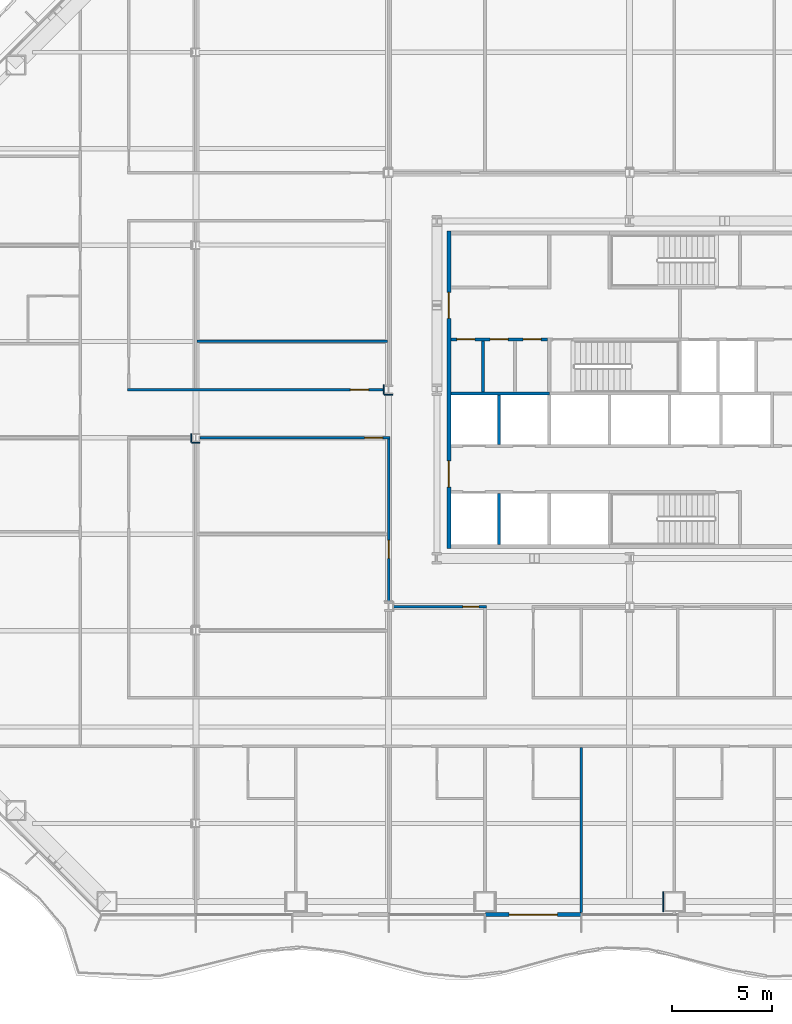
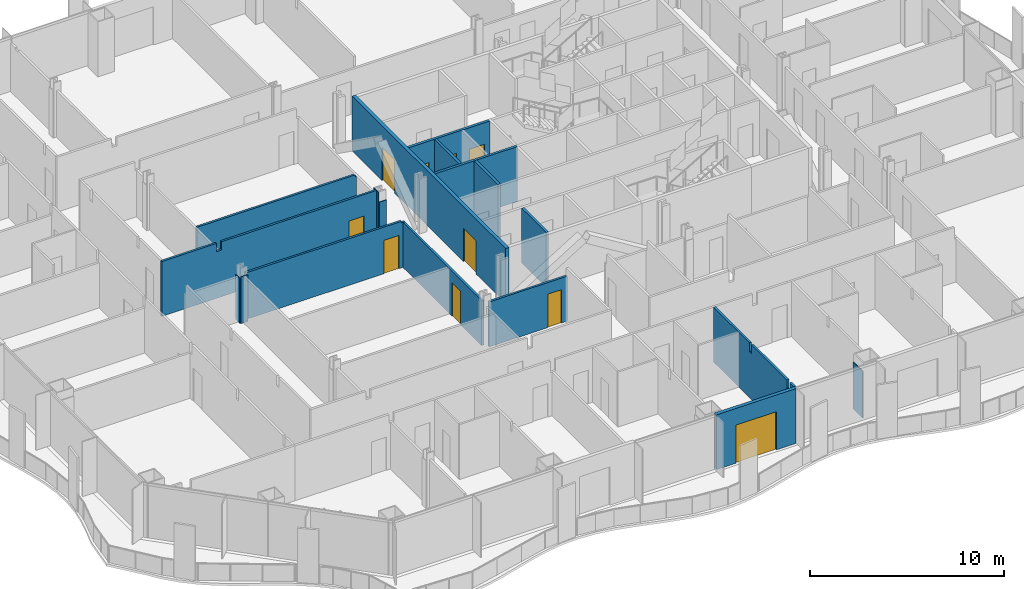
# One storey, part 8 of 21: 18 walls, 10 doors, 10 openings.
"""IFC4 building model written with IfcOpenShell, lengths in metres."""

import ifcopenshell
import ifcopenshell.guid

model = None  # the IFC model being written
_history = None  # IfcOwnerHistory: only IFC2X3 demands one
_inside = {}  # id of a spatial element -> (the spatial element, [elements in it])
_under = {}  # id of a project, library or spatial element -> (it, [spatial elements below it])
_declared = {}  # id of a project -> (the project, [libraries it declares])
_typed = {}  # id of a type object -> (the type object, [elements of that type])
_made_of = {}  # id of a material, layer set ... -> (it, [elements and type objects made of it])


def new_model(schema):
    """Start an empty IFC model of exactly this schema.

    Asked for "IFC4X3", IfcOpenShell would pick the latest addendum, in which some entities
    have other attributes; the version numbers below select the first issue.
    IFC2X3 requires an IfcOwnerHistory on every rooted entity: one is made here for all.
    """
    global model, _history
    if schema == "IFC4X3":
        model = ifcopenshell.file(schema_version=(4, 3, 0, 0))
    else:
        model = ifcopenshell.file(schema=schema)
    _inside.clear()
    _under.clear()
    _declared.clear()
    _typed.clear()
    _made_of.clear()
    _history = None
    if model.schema == "IFC2X3":
        org = make("IfcOrganization", Name="unknown")
        user = make(
            "IfcPersonAndOrganization",
            ThePerson=make("IfcPerson", FamilyName="unknown"),
            TheOrganization=org,
        )
        app = make(
            "IfcApplication",
            ApplicationDeveloper=org,
            Version="unknown",
            ApplicationFullName="unknown",
            ApplicationIdentifier="unknown",
        )
        _history = make(
            "IfcOwnerHistory",
            OwningUser=user,
            OwningApplication=app,
            ChangeAction="ADDED",
            CreationDate=0,
        )
    return model


def make(cls, **values):
    """One entity of the class cls with the attributes given. An attribute that is None is left unset."""
    return model.create_entity(
        cls, **{name: value for name, value in values.items() if value is not None}
    )


def rooted(cls, **values):
    """An entity with a GlobalId (a new one), such as an element, a storey or a relation."""
    return make(cls, GlobalId=ifcopenshell.guid.new(), OwnerHistory=_history, **values)


def si_unit(unit_type, name, prefix=None):
    """IfcSIUnit, for example si_unit("LENGTHUNIT", "METRE", prefix="MILLI")."""
    return make("IfcSIUnit", UnitType=unit_type, Prefix=prefix, Name=name)


def assignment(units):
    """IfcUnitAssignment: the units of a project."""
    return None if units is None else make("IfcUnitAssignment", Units=units)


def point(xyz):
    """IfcCartesianPoint."""
    return None if xyz is None else make("IfcCartesianPoint", Coordinates=xyz)


def direction(xyz):
    """IfcDirection."""
    return None if xyz is None else make("IfcDirection", DirectionRatios=xyz)


def frame(location, z_axis=None, x_axis=None):
    """IfcAxis2Placement3D, a coordinate frame: its origin and axes. An axis left out is left unset."""
    return make(
        "IfcAxis2Placement3D",
        Location=point(location),
        Axis=direction(z_axis),
        RefDirection=direction(x_axis),
    )


def frame_2d(location, x_axis=None):
    """IfcAxis2Placement2D, a coordinate frame in the plane: its origin and x axis."""
    return make(
        "IfcAxis2Placement2D", Location=point(location), RefDirection=direction(x_axis)
    )


def origin():
    """The frame at (0, 0, 0) with its axes left unset."""
    return frame((0.0, 0.0, 0.0))


def place(relative_to, where):
    """IfcLocalPlacement: puts the frame where relative to a parent placement (None: the world)."""
    return make(
        "IfcLocalPlacement", PlacementRelTo=relative_to, RelativePlacement=where
    )


def context(
    kind, dimensions, precision=None, world=None, true_north=None, identifier=None
):
    """IfcGeometricRepresentationContext, for example the 3D "Model" context."""
    return make(
        "IfcGeometricRepresentationContext",
        ContextIdentifier=identifier,
        ContextType=kind,
        CoordinateSpaceDimension=dimensions,
        Precision=precision,
        WorldCoordinateSystem=world,
        TrueNorth=true_north,
    )


def subcontext(parent, identifier, kind, view, scale=None):
    """IfcGeometricRepresentationSubContext, for example "Body" below "Model"."""
    return make(
        "IfcGeometricRepresentationSubContext",
        ContextIdentifier=identifier,
        ContextType=kind,
        ParentContext=parent,
        TargetScale=scale,
        TargetView=view,
    )


def project(units=None, contexts=None):
    """IfcProject with its units and contexts."""
    return rooted(
        "IfcProject",
        Name="project",
        RepresentationContexts=contexts,
        UnitsInContext=assignment(units),
    )


def spatial(cls, under=None, at=None, **own):
    """A site, building, storey or space (cls), placed at a placement, below another one or the project."""
    s = rooted(cls, ObjectPlacement=at, **own)
    if under is not None:
        _under.setdefault(under.id(), (under, []))[1].append(s)
    return s


def polyline(points):
    """IfcPolyline through the points."""
    return make("IfcPolyline", Points=[point(p) for p in points])


def profile(cls, at=None, kind="AREA", **sizes):
    """A parametric profile (cls). Its sizes go by their IFC names, for example OverallWidth=200.0."""
    return make(cls, ProfileType=kind, Position=at, **sizes)


def rectangle(**sizes):
    """IfcRectangleProfileDef."""
    return profile("IfcRectangleProfileDef", **sizes)


def outline(outer, holes=None, kind="AREA"):
    """IfcArbitraryClosedProfileDef: a profile drawn as a closed curve; with holes, ...WithVoids."""
    if holes is None:
        return make("IfcArbitraryClosedProfileDef", ProfileType=kind, OuterCurve=outer)
    return make(
        "IfcArbitraryProfileDefWithVoids",
        ProfileType=kind,
        OuterCurve=outer,
        InnerCurves=holes,
    )


def extrude(swept, where, along, depth):
    """IfcExtrudedAreaSolid: the profile swept, set in the frame where, extruded along a direction by depth."""
    return make(
        "IfcExtrudedAreaSolid",
        SweptArea=swept,
        Position=where,
        ExtrudedDirection=direction(along),
        Depth=depth,
    )


def shape(context_of_items, identifier, shape_type, items):
    """IfcShapeRepresentation: the items that make up one representation, for example the "Body"."""
    return make(
        "IfcShapeRepresentation",
        ContextOfItems=context_of_items,
        RepresentationIdentifier=identifier,
        RepresentationType=shape_type,
        Items=items,
    )


def material(Name=None, Category=None):
    """IfcMaterial."""
    return make("IfcMaterial", Name=Name, Category=Category)


def layer(
    of_material, thickness, ventilated=None, Name=None, Category=None, Priority=None
):
    """IfcMaterialLayer: one layer of a wall or slab, of a material (None: an air gap)."""
    return make(
        "IfcMaterialLayer",
        Material=of_material,
        LayerThickness=thickness,
        IsVentilated=ventilated,
        Name=Name,
        Category=Category,
        Priority=Priority,
    )


def layer_set(layers, Name=None):
    """IfcMaterialLayerSet."""
    return make("IfcMaterialLayerSet", MaterialLayers=layers, LayerSetName=Name)


def made_of(thing, what):
    """Note that an element or type object is made of a material, layer set ...; save() writes the relation."""
    if what is not None:
        _made_of.setdefault(what.id(), (what, []))[1].append(thing)
    return thing


def type_object(cls, material=None, **own):
    """A type object (cls), such as IfcWallType, which elements share."""
    return made_of(rooted(cls, **own), material)


def element(
    cls,
    number,
    at=None,
    inside=None,
    cuts=None,
    type_object=None,
    material=None,
    context=None,
    identifier="Body",
    shape_type=None,
    held_by="IfcProductDefinitionShape",
    body=None,
    shapes=None,
    **own,
):
    """One element of the class cls, such as IfcWall. Its Tag is "e" and its number.

    at: its placement. inside: the storey or other place that contains it. cuts: it is an
    opening in that element (IfcRelVoidsElement). A single representation is given by context,
    identifier, shape_type and body (its items); several are given by shapes. held_by: the class
    of the entity that holds the representations. save() writes the other relations.
    """
    e = rooted(cls, Tag="e%d" % number, ObjectPlacement=at, **own)
    if body is not None:
        shapes = [shape(context, identifier, shape_type, body)]
    if shapes is not None:
        e.Representation = make(held_by, Representations=shapes)
    if inside is not None:
        _inside.setdefault(inside.id(), (inside, []))[1].append(e)
    if cuts is not None:
        rooted(
            "IfcRelVoidsElement", RelatingBuildingElement=cuts, RelatedOpeningElement=e
        )
    if type_object is not None:
        _typed.setdefault(type_object.id(), (type_object, []))[1].append(e)
    return made_of(e, material)


def fill(opening, filler):
    """IfcRelFillsElement: the door or window that sits in an opening."""
    return rooted(
        "IfcRelFillsElement",
        RelatingOpeningElement=opening,
        RelatedBuildingElement=filler,
    )


def aggregate(whole, parts):
    """IfcRelAggregates: a whole, such as a stair, and the parts it consists of."""
    return rooted("IfcRelAggregates", RelatingObject=whole, RelatedObjects=parts)


def save(model, path):
    """Write the relations noted so far, then the file.

    IfcRelAggregates (storeys below a building ...), IfcRelContainedInSpatialStructure (elements
    in a storey), IfcRelDefinesByType, IfcRelAssociatesMaterial and IfcRelDeclares: one each for
    every whole, place, type object, material and project.
    """
    for whole, parts in _under.values():
        aggregate(whole, parts)
    for where, things in _inside.values():
        rooted(
            "IfcRelContainedInSpatialStructure",
            RelatedElements=things,
            RelatingStructure=where,
        )
    for kind, things in _typed.values():
        rooted("IfcRelDefinesByType", RelatedObjects=things, RelatingType=kind)
    for what, things in _made_of.values():
        rooted("IfcRelAssociatesMaterial", RelatedObjects=things, RelatingMaterial=what)
    for by, libraries in _declared.values():
        rooted("IfcRelDeclares", RelatingContext=by, RelatedDefinitions=libraries)
    model.write(path)


model = new_model("IFC4")

# Units and contexts
model_context = context("Model", 3, precision=1e-05, world=origin(), true_north=direction((0.0, 1.0)))
body_context = subcontext(model_context, "Body", "Model", "MODEL_VIEW")
ifc_project = project(units=[si_unit("LENGTHUNIT", "METRE"), si_unit("AREAUNIT", "SQUARE_METRE"), si_unit("VOLUMEUNIT", "CUBIC_METRE"), si_unit("PLANEANGLEUNIT", "RADIAN"), si_unit("MASSUNIT", "GRAM", prefix="KILO")], contexts=[model_context])

# Site, building, storey
site_placement = place(None, origin())
site = spatial("IfcSite", under=ifc_project, at=site_placement, CompositionType="ELEMENT")
building_placement = place(site_placement, origin())
building = spatial("IfcBuilding", under=site, at=building_placement, Name="Cairn Pilgrim Tower", CompositionType="ELEMENT")
storey_placement = place(building_placement, frame((0.0, 0.0, 47.39990234375)))
storey = spatial("IfcBuildingStorey", under=building, at=storey_placement, Name="L09", CompositionType="ELEMENT", Elevation=47.39990234375)

# Wall, opening, door
ifc_material_1 = material(Name="Bronze anodised aluminium insulated sandwich panel with mineral wool fill", Category="aluminium")
ifc_layer_1 = layer(ifc_material_1, 0.199951171875)
ifc_layer_set_1 = layer_set([ifc_layer_1], Name="BRONZE INFILL FRAME WALL 200")
wall_type_1 = type_object("IfcWallType", Name="BRONZE INFILL FRAME WALL 200", PredefinedType="NOTDEFINED", material=ifc_layer_set_1)
wall_1_placement = place(storey_placement, frame((0.030029296875, -23.75, 0.0), z_axis=(0.0, 0.0, 1.0), x_axis=(1.0, 0.0, 0.0)))
wall_1 = element("IfcWall", 1, at=wall_1_placement, inside=storey, type_object=wall_type_1, Name="Bronze infill frame wall IW-S5", PredefinedType="NOTDEFINED", context=body_context, shape_type="SweptSolid", body=[
    extrude(rectangle(XDim=4.739990234375, YDim=0.199951171875, at=frame_2d((2.3701171875, 0.0))), origin(), (0.0, 0.0, 1.0), 3.4501953125),
])
opening_1_placement = place(wall_1_placement, frame((1.169921875, 0.0, 0.0)))
opening_1 = element("IfcOpeningElement", 2, at=opening_1_placement, cuts=wall_1, Name="Opening 0905B", PredefinedType="OPENING", context=body_context, shape_type="SweptSolid", body=[
    extrude(rectangle(XDim=2.39990234375, YDim=2.39990234375, at=frame_2d((1.199951171875, 1.199951171875))), frame((0.0, 0.10986328125, 0.0), z_axis=(0.0, -1.0, 0.0), x_axis=(1.0, 0.0, 0.0)), (0.0, 0.0, 1.0), 0.219970703125),
])
ifc_material_2 = material(Name="Bronze anodised aluminium frame with tinted low-E glass", Category="aluminium")
door_type_1 = type_object("IfcDoorType", Name="BALCONY SLIDING DOOR 2400x2400", OperationType="DOUBLE_DOOR_SLIDING", PredefinedType="DOOR", material=ifc_material_2)
door_1_placement = place(opening_1_placement, origin())
door_1 = element("IfcDoor", 3, at=door_1_placement, inside=storey, type_object=door_type_1, Name="Balcony sliding door 0905B", OperationType="SINGLE_SWING_LEFT", OverallHeight=2.39990234375, OverallWidth=2.39990234375, PredefinedType="DOOR", context=body_context, shape_type="SweptSolid", body=[
    extrude(rectangle(XDim=2.39990234375, YDim=2.39990234375, at=frame_2d((1.199951171875, 1.199951171875))), frame((0.0, 0.02490234375, 0.0), z_axis=(0.0, -1.0, 0.0), x_axis=(1.0, 0.0, 0.0)), (0.0, 0.0, 1.0), 0.050048828125),
])
fill(opening_1, door_1)

# Wall, openings, doors
ifc_material_3 = material(Name="Concrete C32/40", Category="concrete")
ifc_layer_2 = layer(ifc_material_3, 0.199951171875)
ifc_layer_set_2 = layer_set([ifc_layer_2], Name="CORE OUTER WALL 200 EI 120")
wall_type_2 = type_object("IfcWallType", Name="CORE OUTER WALL 200 EI 120", PredefinedType="SOLIDWALL", material=ifc_layer_set_2)
wall_2_placement = place(storey_placement, frame((-1.800048828125, -5.5, 0.0), z_axis=(0.0, 0.0, 1.0), x_axis=(0.0, 1.0, 0.0)))
wall_2 = element("IfcWall", 4, at=wall_2_placement, inside=storey, type_object=wall_type_2, Name="CW:L09:V12", PredefinedType="SOLIDWALL", context=body_context, shape_type="SweptSolid", body=[
    extrude(rectangle(XDim=15.800048828125, YDim=0.199951171875, at=frame_2d((7.89990234375, 0.0))), origin(), (0.0, 0.0, 1.0), 3.4501953125),
])
opening_2_placement = place(wall_2_placement, frame((3.050048828125, 0.0, 0.0)))
opening_2 = element("IfcOpeningElement", 5, at=opening_2_placement, cuts=wall_2, Name="Opening CD-W1", PredefinedType="OPENING", context=body_context, shape_type="SweptSolid", body=[
    extrude(rectangle(XDim=1.300048828125, YDim=2.10009765625, at=frame_2d((0.64990234375, 1.050048828125))), frame((0.0, 0.10986328125, 0.0), z_axis=(0.0, -1.0, 0.0), x_axis=(1.0, 0.0, 0.0)), (0.0, 0.0, 1.0), 0.219970703125),
])
opening_3_placement = place(wall_2_placement, frame((11.449951171875, 0.0, 0.0)))
opening_3 = element("IfcOpeningElement", 6, at=opening_3_placement, cuts=wall_2, Name="Opening CD-W2", PredefinedType="OPENING", context=body_context, shape_type="SweptSolid", body=[
    extrude(rectangle(XDim=1.300048828125, YDim=2.10009765625, at=frame_2d((0.64990234375, 1.050048828125))), frame((0.0, 0.10986328125, 0.0), z_axis=(0.0, -1.0, 0.0), x_axis=(1.0, 0.0, 0.0)), (0.0, 0.0, 1.0), 0.219970703125),
])
ifc_material_4 = material(Name="Painted steel", Category="steel")
door_type_2 = type_object("IfcDoorType", Name="CORE LOBBY DOOR 1300x2100", OperationType="DOUBLE_DOOR_SINGLE_SWING", PredefinedType="DOOR", material=ifc_material_4)
door_2_placement = place(opening_2_placement, origin())
door_2 = element("IfcDoor", 7, at=door_2_placement, inside=storey, type_object=door_type_2, Name="CD-W1", OperationType="DOUBLE_DOOR_SINGLE_SWING", OverallHeight=2.10009765625, OverallWidth=1.300048828125, PredefinedType="DOOR", context=body_context, shape_type="SweptSolid", body=[
    extrude(rectangle(XDim=1.300048828125, YDim=2.10009765625, at=frame_2d((0.64990234375, 1.050048828125))), frame((0.0, 0.02490234375, 0.0), z_axis=(0.0, -1.0, 0.0), x_axis=(1.0, 0.0, 0.0)), (0.0, 0.0, 1.0), 0.050048828125),
])
fill(opening_2, door_2)
door_3_placement = place(opening_3_placement, origin())
door_3 = element("IfcDoor", 8, at=door_3_placement, inside=storey, type_object=door_type_2, Name="CD-W2", OperationType="DOUBLE_DOOR_SINGLE_SWING", OverallHeight=2.10009765625, OverallWidth=1.300048828125, PredefinedType="DOOR", context=body_context, shape_type="SweptSolid", body=[
    extrude(rectangle(XDim=1.300048828125, YDim=2.10009765625, at=frame_2d((0.64990234375, 1.050048828125))), frame((0.0, 0.02490234375, 0.0), z_axis=(0.0, -1.0, 0.0), x_axis=(1.0, 0.0, 0.0)), (0.0, 0.0, 1.0), 0.050048828125),
])
fill(opening_3, door_3)

ifc_layer_3 = layer(ifc_material_3, 0.14990234375)
ifc_layer_set_3 = layer_set([ifc_layer_3], Name="CORE PARTITION 150 EI 60")
wall_type_3 = type_object("IfcWallType", Name="CORE PARTITION 150 EI 60", PredefinedType="PARTITIONING", material=ifc_layer_set_3)
wall_3_placement = place(storey_placement, frame((-1.699951171875, 4.89990234375, 0.0), z_axis=(0.0, 0.0, 1.0), x_axis=(1.0, 0.0, 0.0)))
wall_3 = element("IfcWall", 9, at=wall_3_placement, inside=storey, type_object=wall_type_3, Name="CW:L09:H07", PredefinedType="PARTITIONING", context=body_context, shape_type="SweptSolid", body=[
    extrude(rectangle(XDim=4.824951171875, YDim=0.14990234375, at=frame_2d((2.41259765625, 0.0))), origin(), (0.0, 0.0, 1.0), 3.4501953125),
])
opening_4_placement = place(wall_3_placement, frame((0.300048828125, 0.0, 0.0)))
opening_4 = element("IfcOpeningElement", 10, at=opening_4_placement, cuts=wall_3, Name="Opening RD-R3W1", PredefinedType="OPENING", context=body_context, shape_type="SweptSolid", body=[
    extrude(rectangle(XDim=0.89990234375, YDim=2.10009765625, at=frame_2d((0.449951171875, 1.050048828125))), frame((0.0, 0.0849609375, 0.0), z_axis=(0.0, -1.0, 0.0), x_axis=(1.0, 0.0, 0.0)), (0.0, 0.0, 1.0), 0.169921875),
])
opening_5_placement = place(wall_3_placement, frame((1.949951171875, 0.0, 0.0)))
opening_5 = element("IfcOpeningElement", 11, at=opening_5_placement, cuts=wall_3, Name="Opening RD-R3W2", PredefinedType="OPENING", context=body_context, shape_type="SweptSolid", body=[
    extrude(rectangle(XDim=0.89990234375, YDim=2.10009765625, at=frame_2d((0.449951171875, 1.050048828125))), frame((0.0, 0.0849609375, 0.0), z_axis=(0.0, -1.0, 0.0), x_axis=(1.0, 0.0, 0.0)), (0.0, 0.0, 1.0), 0.169921875),
])
opening_6_placement = place(wall_3_placement, frame((3.60009765625, 0.0, 0.0)))
opening_6 = element("IfcOpeningElement", 12, at=opening_6_placement, cuts=wall_3, Name="Opening RD-R3W3", PredefinedType="OPENING", context=body_context, shape_type="SweptSolid", body=[
    extrude(rectangle(XDim=0.89990234375, YDim=2.10009765625, at=frame_2d((0.449951171875, 1.050048828125))), frame((0.0, 0.0849609375, 0.0), z_axis=(0.0, -1.0, 0.0), x_axis=(1.0, 0.0, 0.0)), (0.0, 0.0, 1.0), 0.169921875),
])
door_type_3 = type_object("IfcDoorType", Name="SERVICE ROOM DOOR 900x2100", OperationType="SINGLE_SWING_LEFT", PredefinedType="DOOR", material=ifc_material_4)
door_4_placement = place(opening_4_placement, origin())
door_4 = element("IfcDoor", 13, at=door_4_placement, inside=storey, type_object=door_type_3, Name="RD-R3W1", OperationType="SINGLE_SWING_RIGHT", OverallHeight=2.10009765625, OverallWidth=0.89990234375, PredefinedType="DOOR", context=body_context, shape_type="SweptSolid", body=[
    extrude(rectangle(XDim=0.89990234375, YDim=2.10009765625, at=frame_2d((0.449951171875, 1.050048828125))), frame((0.0, 0.02490234375, 0.0), z_axis=(0.0, -1.0, 0.0), x_axis=(1.0, 0.0, 0.0)), (0.0, 0.0, 1.0), 0.050048828125),
])
fill(opening_4, door_4)
door_5_placement = place(opening_5_placement, origin())
door_5 = element("IfcDoor", 14, at=door_5_placement, inside=storey, type_object=door_type_3, Name="RD-R3W2", OperationType="SINGLE_SWING_LEFT", OverallHeight=2.10009765625, OverallWidth=0.89990234375, PredefinedType="DOOR", context=body_context, shape_type="SweptSolid", body=[
    extrude(rectangle(XDim=0.89990234375, YDim=2.10009765625, at=frame_2d((0.449951171875, 1.050048828125))), frame((0.0, 0.02490234375, 0.0), z_axis=(0.0, -1.0, 0.0), x_axis=(1.0, 0.0, 0.0)), (0.0, 0.0, 1.0), 0.050048828125),
])
fill(opening_5, door_5)
door_6_placement = place(opening_6_placement, origin())
door_6 = element("IfcDoor", 15, at=door_6_placement, inside=storey, type_object=door_type_3, Name="RD-R3W3", OperationType="SINGLE_SWING_RIGHT", OverallHeight=2.10009765625, OverallWidth=0.89990234375, PredefinedType="DOOR", context=body_context, shape_type="SweptSolid", body=[
    extrude(rectangle(XDim=0.89990234375, YDim=2.10009765625, at=frame_2d((0.449951171875, 1.050048828125))), frame((0.0, 0.02490234375, 0.0), z_axis=(0.0, -1.0, 0.0), x_axis=(1.0, 0.0, 0.0)), (0.0, 0.0, 1.0), 0.050048828125),
])
fill(opening_6, door_6)

# Walls
wall_4_placement = place(storey_placement, frame((-0.10009765625, 2.27490234375, 0.0), z_axis=(0.0, 0.0, 1.0), x_axis=(0.0, 1.0, 0.0)))
element("IfcWall", 16, at=wall_4_placement, inside=storey, type_object=wall_type_3, Name="CW:L09:V13", PredefinedType="PARTITIONING", context=body_context, shape_type="SweptSolid", body=[
    extrude(rectangle(XDim=2.550048828125, YDim=0.14990234375, at=frame_2d((1.27490234375, 0.0))), origin(), (0.0, 0.0, 1.0), 3.4501953125),
])
ifc_layer_4 = layer(ifc_material_3, 0.14990234375)
ifc_layer_set_4 = layer_set([ifc_layer_4], Name="CORE SHAFT WALL 150 EI 120")
wall_type_4 = type_object("IfcWallType", Name="CORE SHAFT WALL 150 EI 120", PredefinedType="SOLIDWALL", material=ifc_layer_set_4)
wall_5_placement = place(storey_placement, frame((-1.699951171875, 2.199951171875, 0.0), z_axis=(0.0, 0.0, 1.0), x_axis=(1.0, 0.0, 0.0)))
element("IfcWall", 17, at=wall_5_placement, inside=storey, type_object=wall_type_4, Name="CW:L09:H05-1", PredefinedType="SOLIDWALL", context=body_context, shape_type="SweptSolid", body=[
    extrude(rectangle(XDim=4.89990234375, YDim=0.14990234375, at=frame_2d((2.449951171875, 0.0))), origin(), (0.0, 0.0, 1.0), 3.4501953125),
])
wall_6_placement = place(storey_placement, frame((0.699951171875, -5.300048828125, 0.0), z_axis=(0.0, 0.0, 1.0), x_axis=(0.0, 1.0, 0.0)))
element("IfcWall", 18, at=wall_6_placement, inside=storey, type_object=wall_type_4, Name="CW:L09:V14", PredefinedType="SOLIDWALL", context=body_context, shape_type="SweptSolid", body=[
    extrude(rectangle(XDim=2.525146484375, YDim=0.14990234375, at=frame_2d((1.2626953125, 0.0))), origin(), (0.0, 0.0, 1.0), 3.4501953125),
])
wall_7_placement = place(storey_placement, frame((0.699951171875, -0.324951171875, 0.0), z_axis=(0.0, 0.0, 1.0), x_axis=(0.0, 1.0, 0.0)))
element("IfcWall", 19, at=wall_7_placement, inside=storey, type_object=wall_type_4, Name="CW:L09:V15", PredefinedType="SOLIDWALL", context=body_context, shape_type="SweptSolid", body=[
    extrude(rectangle(XDim=2.449951171875, YDim=0.14990234375, at=frame_2d((1.22509765625, 0.0))), origin(), (0.0, 0.0, 1.0), 3.4501953125),
])
ifc_material_5 = material(Name="Gypsum partition")
ifc_layer_5 = layer(ifc_material_5, 0.125)
ifc_layer_set_5 = layer_set([ifc_layer_5], Name="PARTITION 125 DRYWALL EI 60")
wall_type_5 = type_object("IfcWallType", Name="PARTITION 125 DRYWALL EI 60", PredefinedType="PARTITIONING", material=ifc_layer_set_5)
wall_8_placement = place(storey_placement, frame((4.800048828125, -23.64990234375, 0.0), z_axis=(0.0, 0.0, 1.0), x_axis=(0.0, 1.0, 0.0)))
element("IfcWall", 20, at=wall_8_placement, inside=storey, type_object=wall_type_5, Name="PARTITION W003", PredefinedType="PARTITIONING", context=body_context, shape_type="SweptSolid", body=[
    extrude(outline(polyline([(0.0, 0.0), (8.2373046875, 0.0), (8.237548828125, 3.4501953125), (4.554931640625, 3.4501953125), (4.552978515625, 2.880126953125), (4.344970703125, 2.880126953125), (4.343017578125, 3.4501953125), (0.699951171875, 3.4501953125), (0.697998046875, 2.93017578125), (0.39990234375, 2.93017578125), (0.39794921875, 3.4501953125), (0.0, 3.4501953125), (0.0, 0.0)])), frame((0.0, 0.0625, 0.0), z_axis=(0.0, -1.0, 0.0), x_axis=(1.0, 0.0, 0.0)), (0.0, 0.0, 1.0), 0.125),
])

# Wall, opening, door
wall_9_placement = place(storey_placement, frame((-4.587890625, -8.39990234375, 0.0), z_axis=(0.0, 0.0, 1.0), x_axis=(1.0, 0.0, 0.0)))
wall_9 = element("IfcWall", 21, at=wall_9_placement, inside=storey, type_object=wall_type_5, Name="PARTITION W040", PredefinedType="PARTITIONING", context=body_context, shape_type="SweptSolid", body=[
    extrude(rectangle(XDim=4.650390625, YDim=0.125, at=frame_2d((2.3251953125, 0.0))), origin(), (0.0, 0.0, 1.0), 2.830078125),
])
opening_7_placement = place(wall_9_placement, frame((3.488037109375, 0.0, 0.0)))
opening_7 = element("IfcOpeningElement", 22, at=opening_7_placement, cuts=wall_9, Name="Opening 0934", PredefinedType="OPENING", context=body_context, shape_type="SweptSolid", body=[
    extrude(rectangle(XDim=0.800048828125, YDim=2.10009765625, at=frame_2d((0.39990234375, 1.050048828125))), frame((0.0, 0.072509765625, 0.0), z_axis=(0.0, -1.0, 0.0), x_axis=(1.0, 0.0, 0.0)), (0.0, 0.0, 1.0), 0.14501953125),
])
ifc_material_6 = material(Name="Steel-faced fire door leaf", Category="steel")
door_type_4 = type_object("IfcDoorType", Name="FIRE DOOR 800x2100 FD30S", OperationType="NOTDEFINED", PredefinedType="DOOR", material=ifc_material_6)
door_7_placement = place(opening_7_placement, frame((0.800048828125, 0.0, 0.0), z_axis=(0.0, 0.0, 1.0), x_axis=(-1.0, 0.0, 0.0)))
door_7 = element("IfcDoor", 23, at=door_7_placement, inside=storey, type_object=door_type_4, Name="DOOR 0934", OperationType="SINGLE_SWING_LEFT", OverallHeight=2.10009765625, OverallWidth=0.800048828125, PredefinedType="DOOR", context=body_context, shape_type="SweptSolid", body=[
    extrude(rectangle(XDim=0.800048828125, YDim=2.10009765625, at=frame_2d((0.39990234375, 1.050048828125))), frame((0.0, 0.02490234375, 0.0), z_axis=(0.0, -1.0, 0.0), x_axis=(1.0, 0.0, 0.0)), (0.0, 0.0, 1.0), 0.050048828125),
])
fill(opening_7, door_7)

wall_10_placement = place(storey_placement, frame((-4.800048828125, -8.1630859375, 0.0), z_axis=(0.0, 0.0, 1.0), x_axis=(0.0, 1.0, 0.0)))
wall_10 = element("IfcWall", 24, at=wall_10_placement, inside=storey, type_object=wall_type_5, Name="PARTITION W043", PredefinedType="PARTITIONING", context=body_context, shape_type="SweptSolid", body=[
    extrude(rectangle(XDim=8.1005859375, YDim=0.125, at=frame_2d((4.05029296875, 0.0))), origin(), (0.0, 0.0, 1.0), 2.830078125),
])
opening_8_placement = place(wall_10_placement, frame((2.1630859375, 0.0, 0.0)))
opening_8 = element("IfcOpeningElement", 25, at=opening_8_placement, cuts=wall_10, Name="Opening 0928", PredefinedType="OPENING", context=body_context, shape_type="SweptSolid", body=[
    extrude(rectangle(XDim=0.89990234375, YDim=2.10009765625, at=frame_2d((0.449951171875, 1.050048828125))), frame((0.0, 0.072509765625, 0.0), z_axis=(0.0, -1.0, 0.0), x_axis=(1.0, 0.0, 0.0)), (0.0, 0.0, 1.0), 0.14501953125),
])
door_type_5 = type_object("IfcDoorType", Name="FIRE DOOR 900x2100 FD30S", OperationType="NOTDEFINED", PredefinedType="DOOR", material=ifc_material_6)
door_8_placement = place(opening_8_placement, origin())
door_8 = element("IfcDoor", 26, at=door_8_placement, inside=storey, type_object=door_type_5, Name="DOOR 0928", OperationType="SINGLE_SWING_LEFT", OverallHeight=2.10009765625, OverallWidth=0.89990234375, PredefinedType="DOOR", context=body_context, shape_type="SweptSolid", body=[
    extrude(rectangle(XDim=0.89990234375, YDim=2.10009765625, at=frame_2d((0.449951171875, 1.050048828125))), frame((0.0, 0.02490234375, 0.0), z_axis=(0.0, -1.0, 0.0), x_axis=(1.0, 0.0, 0.0)), (0.0, 0.0, 1.0), 0.050048828125),
])
fill(opening_8, door_8)

wall_11_placement = place(storey_placement, frame((-14.195556640625, 0.0, 0.0), z_axis=(0.0, 0.0, 1.0), x_axis=(1.0, 0.0, 0.0)))
wall_11 = element("IfcWall", 27, at=wall_11_placement, inside=storey, type_object=wall_type_5, Name="PARTITION W055", PredefinedType="PARTITIONING", context=body_context, shape_type="SweptSolid", body=[
    extrude(outline(polyline([(0.0, 0.0), (9.4580078125, 0.0), (9.4580078125, 2.830078125), (9.24560546875, 2.830078125), (9.243408203125, 2.93017578125), (0.0, 2.93017578125), (0.0, 0.0)])), frame((0.0, 0.0625, 0.0), z_axis=(0.0, -1.0, 0.0), x_axis=(1.0, 0.0, 0.0)), (0.0, 0.0, 1.0), 0.125),
])
opening_9_placement = place(wall_11_placement, frame((8.195556640625, 0.0, 0.0)))
opening_9 = element("IfcOpeningElement", 28, at=opening_9_placement, cuts=wall_11, Name="Opening 0929", PredefinedType="OPENING", context=body_context, shape_type="SweptSolid", body=[
    extrude(rectangle(XDim=0.89990234375, YDim=2.10009765625, at=frame_2d((0.449951171875, 1.050048828125))), frame((0.0, 0.072509765625, 0.0), z_axis=(0.0, -1.0, 0.0), x_axis=(1.0, 0.0, 0.0)), (0.0, 0.0, 1.0), 0.14501953125),
])
door_9_placement = place(opening_9_placement, frame((0.89990234375, 0.0, 0.0), z_axis=(0.0, 0.0, 1.0), x_axis=(-1.0, 0.0, 0.0)))
door_9 = element("IfcDoor", 29, at=door_9_placement, inside=storey, type_object=door_type_5, Name="DOOR 0929", OperationType="SINGLE_SWING_RIGHT", OverallHeight=2.10009765625, OverallWidth=0.89990234375, PredefinedType="DOOR", context=body_context, shape_type="SweptSolid", body=[
    extrude(rectangle(XDim=0.89990234375, YDim=2.10009765625, at=frame_2d((0.449951171875, 1.050048828125))), frame((0.0, 0.02490234375, 0.0), z_axis=(0.0, -1.0, 0.0), x_axis=(1.0, 0.0, 0.0)), (0.0, 0.0, 1.0), 0.050048828125),
])
fill(opening_9, door_9)

wall_12_placement = place(storey_placement, frame((-17.8125, 2.39990234375, 0.0), z_axis=(0.0, 0.0, 1.0), x_axis=(1.0, 0.0, 0.0)))
wall_12 = element("IfcWall", 30, at=wall_12_placement, inside=storey, type_object=wall_type_5, Name="PARTITION W059", PredefinedType="PARTITIONING", context=body_context, shape_type="SweptSolid", body=[
    extrude(outline(polyline([(0.0, 0.0), (12.800537109375, 0.0), (12.800537109375, 3.4501953125), (3.5625, 3.4501953125), (3.560546875, 2.93017578125), (3.262451171875, 2.93017578125), (3.260498046875, 3.4501953125), (0.0, 3.4501953125), (0.0, 0.0)])), frame((0.0, 0.0625, 0.0), z_axis=(0.0, -1.0, 0.0), x_axis=(1.0, 0.0, 0.0)), (0.0, 0.0, 1.0), 0.125),
])
opening_10_placement = place(wall_12_placement, frame((11.112548828125, 0.0, 0.0)))
opening_10 = element("IfcOpeningElement", 31, at=opening_10_placement, cuts=wall_12, Name="Opening 0930", PredefinedType="OPENING", context=body_context, shape_type="SweptSolid", body=[
    extrude(rectangle(XDim=0.89990234375, YDim=2.10009765625, at=frame_2d((0.449951171875, 1.050048828125))), frame((0.0, 0.072509765625, 0.0), z_axis=(0.0, -1.0, 0.0), x_axis=(1.0, 0.0, 0.0)), (0.0, 0.0, 1.0), 0.14501953125),
])
door_10_placement = place(opening_10_placement, origin())
door_10 = element("IfcDoor", 32, at=door_10_placement, inside=storey, type_object=door_type_5, Name="DOOR 0930", OperationType="SINGLE_SWING_LEFT", OverallHeight=2.10009765625, OverallWidth=0.89990234375, PredefinedType="DOOR", context=body_context, shape_type="SweptSolid", body=[
    extrude(rectangle(XDim=0.89990234375, YDim=2.10009765625, at=frame_2d((0.449951171875, 1.050048828125))), frame((0.0, 0.02490234375, 0.0), z_axis=(0.0, -1.0, 0.0), x_axis=(1.0, 0.0, 0.0)), (0.0, 0.0, 1.0), 0.050048828125),
])
fill(opening_10, door_10)

# Walls
wall_13_placement = place(storey_placement, frame((-14.33740234375, 4.800048828125, 0.0), z_axis=(0.0, 0.0, 1.0), x_axis=(1.0, 0.0, 0.0)))
element("IfcWall", 33, at=wall_13_placement, inside=storey, type_object=wall_type_5, Name="PARTITION W067", PredefinedType="PARTITIONING", context=body_context, shape_type="SweptSolid", body=[
    extrude(outline(polyline([(0.0, 0.0), (9.474853515625, 0.0), (9.47509765625, 2.830078125), (9.387451171875, 2.830078125), (9.385498046875, 2.93017578125), (0.0, 2.93017578125), (0.0, 0.0)])), frame((0.0, 0.0625, 0.0), z_axis=(0.0, -1.0, 0.0), x_axis=(1.0, 0.0, 0.0)), (0.0, 0.0, 1.0), 0.125),
])
ifc_layer_6 = layer(ifc_material_5, 0.050048828125)
ifc_layer_set_6 = layer_set([ifc_layer_6], Name="PARTITION 50 DRYWALL EI 60")
wall_type_6 = type_object("IfcWallType", Name="PARTITION 50 DRYWALL EI 60", PredefinedType="PARTITIONING", material=ifc_layer_set_6)
wall_14_placement = place(storey_placement, frame((8.888671875, -23.60009765625, 0.0), z_axis=(0.0, 0.0, 1.0), x_axis=(0.0, 1.0, 0.0)))
element("IfcWall", 34, at=wall_14_placement, inside=storey, type_object=wall_type_6, Name="COLUMN CASING WC04", PredefinedType="PARTITIONING", context=body_context, shape_type="SweptSolid", body=[
    extrude(rectangle(XDim=1.0, YDim=0.050048828125, at=frame_2d((0.5, 0.0))), origin(), (0.0, 0.0, 1.0), 2.93017578125),
])
wall_15_placement = place(storey_placement, frame((-14.62939453125, -0.21240234375, 0.0), z_axis=(0.0, 0.0, 1.0), x_axis=(0.0, 1.0, 0.0)))
element("IfcWall", 35, at=wall_15_placement, inside=storey, type_object=wall_type_6, Name="COLUMN CASING WC13", PredefinedType="PARTITIONING", context=body_context, shape_type="SweptSolid", body=[
    extrude(rectangle(XDim=0.4248046875, YDim=0.050048828125, at=frame_2d((0.21240234375, 0.0))), origin(), (0.0, 0.0, 1.0), 2.830078125),
])
wall_16_placement = place(storey_placement, frame((-14.6044921875, -0.237548828125, 0.0), z_axis=(0.0, 0.0, 1.0), x_axis=(1.0, 0.0, 0.0)))
element("IfcWall", 36, at=wall_16_placement, inside=storey, type_object=wall_type_6, Name="COLUMN CASING WC22", PredefinedType="PARTITIONING", context=body_context, shape_type="SweptSolid", body=[
    extrude(rectangle(XDim=0.408935546875, YDim=0.050048828125, at=frame_2d((0.20458984375, 0.0))), origin(), (0.0, 0.0, 1.0), 2.93017578125),
])
wall_17_placement = place(storey_placement, frame((-5.011962890625, 2.137939453125, 0.0), z_axis=(0.0, 0.0, 1.0), x_axis=(1.0, 0.0, 0.0)))
element("IfcWall", 37, at=wall_17_placement, inside=storey, type_object=wall_type_6, Name="COLUMN CASING WC24", PredefinedType="PARTITIONING", context=body_context, shape_type="SweptSolid", body=[
    extrude(rectangle(XDim=0.424072265625, YDim=0.050048828125, at=frame_2d((0.2119140625, 0.0))), origin(), (0.0, 0.0, 1.0), 2.830078125),
])
wall_18_placement = place(storey_placement, frame((-5.037109375, 2.1630859375, 0.0), z_axis=(0.0, 0.0, 1.0), x_axis=(0.0, 1.0, 0.0)))
element("IfcWall", 38, at=wall_18_placement, inside=storey, type_object=wall_type_6, Name="COLUMN CASING WC26", PredefinedType="PARTITIONING", context=body_context, shape_type="SweptSolid", body=[
    extrude(rectangle(XDim=0.473876953125, YDim=0.050048828125, at=frame_2d((0.23681640625, 0.0))), origin(), (0.0, 0.0, 1.0), 3.4501953125),
])

save(model, "model.ifc")
